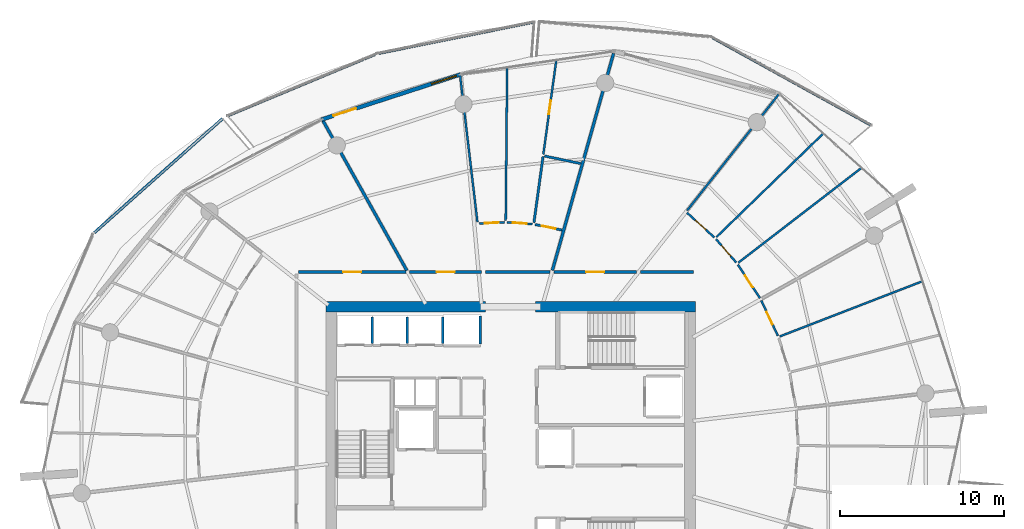
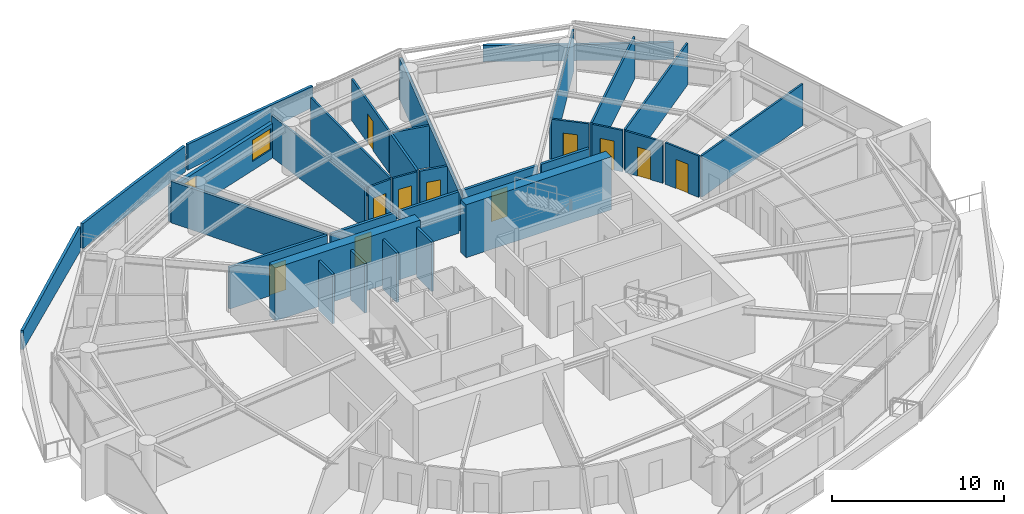
# One storey, part 15 of 21: 34 walls, 12 doors, 1 window, 13 openings.
"""IFC4 building model written with IfcOpenShell, lengths in metres."""

import ifcopenshell
import ifcopenshell.guid

model = None  # the IFC model being written
_history = None  # IfcOwnerHistory: only IFC2X3 demands one
_inside = {}  # id of a spatial element -> (the spatial element, [elements in it])
_under = {}  # id of a project, library or spatial element -> (it, [spatial elements below it])
_declared = {}  # id of a project -> (the project, [libraries it declares])
_typed = {}  # id of a type object -> (the type object, [elements of that type])
_made_of = {}  # id of a material, layer set ... -> (it, [elements and type objects made of it])


def new_model(schema):
    """Start an empty IFC model of exactly this schema.

    Asked for "IFC4X3", IfcOpenShell would pick the latest addendum, in which some entities
    have other attributes; the version numbers below select the first issue.
    IFC2X3 requires an IfcOwnerHistory on every rooted entity: one is made here for all.
    """
    global model, _history
    if schema == "IFC4X3":
        model = ifcopenshell.file(schema_version=(4, 3, 0, 0))
    else:
        model = ifcopenshell.file(schema=schema)
    _inside.clear()
    _under.clear()
    _declared.clear()
    _typed.clear()
    _made_of.clear()
    _history = None
    if model.schema == "IFC2X3":
        org = make("IfcOrganization", Name="unknown")
        user = make(
            "IfcPersonAndOrganization",
            ThePerson=make("IfcPerson", FamilyName="unknown"),
            TheOrganization=org,
        )
        app = make(
            "IfcApplication",
            ApplicationDeveloper=org,
            Version="unknown",
            ApplicationFullName="unknown",
            ApplicationIdentifier="unknown",
        )
        _history = make(
            "IfcOwnerHistory",
            OwningUser=user,
            OwningApplication=app,
            ChangeAction="ADDED",
            CreationDate=0,
        )
    return model


def make(cls, **values):
    """One entity of the class cls with the attributes given. An attribute that is None is left unset."""
    return model.create_entity(
        cls, **{name: value for name, value in values.items() if value is not None}
    )


def rooted(cls, **values):
    """An entity with a GlobalId (a new one), such as an element, a storey or a relation."""
    return make(cls, GlobalId=ifcopenshell.guid.new(), OwnerHistory=_history, **values)


def si_unit(unit_type, name, prefix=None):
    """IfcSIUnit, for example si_unit("LENGTHUNIT", "METRE", prefix="MILLI")."""
    return make("IfcSIUnit", UnitType=unit_type, Prefix=prefix, Name=name)


def assignment(units):
    """IfcUnitAssignment: the units of a project."""
    return None if units is None else make("IfcUnitAssignment", Units=units)


def point(xyz):
    """IfcCartesianPoint."""
    return None if xyz is None else make("IfcCartesianPoint", Coordinates=xyz)


def direction(xyz):
    """IfcDirection."""
    return None if xyz is None else make("IfcDirection", DirectionRatios=xyz)


def frame(location, z_axis=None, x_axis=None):
    """IfcAxis2Placement3D, a coordinate frame: its origin and axes. An axis left out is left unset."""
    return make(
        "IfcAxis2Placement3D",
        Location=point(location),
        Axis=direction(z_axis),
        RefDirection=direction(x_axis),
    )


def frame_2d(location, x_axis=None):
    """IfcAxis2Placement2D, a coordinate frame in the plane: its origin and x axis."""
    return make(
        "IfcAxis2Placement2D", Location=point(location), RefDirection=direction(x_axis)
    )


def origin():
    """The frame at (0, 0, 0) with its axes left unset."""
    return frame((0.0, 0.0, 0.0))


def place(relative_to, where):
    """IfcLocalPlacement: puts the frame where relative to a parent placement (None: the world)."""
    return make(
        "IfcLocalPlacement", PlacementRelTo=relative_to, RelativePlacement=where
    )


def context(
    kind, dimensions, precision=None, world=None, true_north=None, identifier=None
):
    """IfcGeometricRepresentationContext, for example the 3D "Model" context."""
    return make(
        "IfcGeometricRepresentationContext",
        ContextIdentifier=identifier,
        ContextType=kind,
        CoordinateSpaceDimension=dimensions,
        Precision=precision,
        WorldCoordinateSystem=world,
        TrueNorth=true_north,
    )


def subcontext(parent, identifier, kind, view, scale=None):
    """IfcGeometricRepresentationSubContext, for example "Body" below "Model"."""
    return make(
        "IfcGeometricRepresentationSubContext",
        ContextIdentifier=identifier,
        ContextType=kind,
        ParentContext=parent,
        TargetScale=scale,
        TargetView=view,
    )


def project(units=None, contexts=None):
    """IfcProject with its units and contexts."""
    return rooted(
        "IfcProject",
        Name="project",
        RepresentationContexts=contexts,
        UnitsInContext=assignment(units),
    )


def spatial(cls, under=None, at=None, **own):
    """A site, building, storey or space (cls), placed at a placement, below another one or the project."""
    s = rooted(cls, ObjectPlacement=at, **own)
    if under is not None:
        _under.setdefault(under.id(), (under, []))[1].append(s)
    return s


def polyline(points):
    """IfcPolyline through the points."""
    return make("IfcPolyline", Points=[point(p) for p in points])


def profile(cls, at=None, kind="AREA", **sizes):
    """A parametric profile (cls). Its sizes go by their IFC names, for example OverallWidth=200.0."""
    return make(cls, ProfileType=kind, Position=at, **sizes)


def rectangle(**sizes):
    """IfcRectangleProfileDef."""
    return profile("IfcRectangleProfileDef", **sizes)


def outline(outer, holes=None, kind="AREA"):
    """IfcArbitraryClosedProfileDef: a profile drawn as a closed curve; with holes, ...WithVoids."""
    if holes is None:
        return make("IfcArbitraryClosedProfileDef", ProfileType=kind, OuterCurve=outer)
    return make(
        "IfcArbitraryProfileDefWithVoids",
        ProfileType=kind,
        OuterCurve=outer,
        InnerCurves=holes,
    )


def extrude(swept, where, along, depth):
    """IfcExtrudedAreaSolid: the profile swept, set in the frame where, extruded along a direction by depth."""
    return make(
        "IfcExtrudedAreaSolid",
        SweptArea=swept,
        Position=where,
        ExtrudedDirection=direction(along),
        Depth=depth,
    )


def shape(context_of_items, identifier, shape_type, items):
    """IfcShapeRepresentation: the items that make up one representation, for example the "Body"."""
    return make(
        "IfcShapeRepresentation",
        ContextOfItems=context_of_items,
        RepresentationIdentifier=identifier,
        RepresentationType=shape_type,
        Items=items,
    )


def material(Name=None, Category=None):
    """IfcMaterial."""
    return make("IfcMaterial", Name=Name, Category=Category)


def layer(
    of_material, thickness, ventilated=None, Name=None, Category=None, Priority=None
):
    """IfcMaterialLayer: one layer of a wall or slab, of a material (None: an air gap)."""
    return make(
        "IfcMaterialLayer",
        Material=of_material,
        LayerThickness=thickness,
        IsVentilated=ventilated,
        Name=Name,
        Category=Category,
        Priority=Priority,
    )


def layer_set(layers, Name=None):
    """IfcMaterialLayerSet."""
    return make("IfcMaterialLayerSet", MaterialLayers=layers, LayerSetName=Name)


def made_of(thing, what):
    """Note that an element or type object is made of a material, layer set ...; save() writes the relation."""
    if what is not None:
        _made_of.setdefault(what.id(), (what, []))[1].append(thing)
    return thing


def type_object(cls, material=None, **own):
    """A type object (cls), such as IfcWallType, which elements share."""
    return made_of(rooted(cls, **own), material)


def element(
    cls,
    number,
    at=None,
    inside=None,
    cuts=None,
    type_object=None,
    material=None,
    context=None,
    identifier="Body",
    shape_type=None,
    held_by="IfcProductDefinitionShape",
    body=None,
    shapes=None,
    **own,
):
    """One element of the class cls, such as IfcWall. Its Tag is "e" and its number.

    at: its placement. inside: the storey or other place that contains it. cuts: it is an
    opening in that element (IfcRelVoidsElement). A single representation is given by context,
    identifier, shape_type and body (its items); several are given by shapes. held_by: the class
    of the entity that holds the representations. save() writes the other relations.
    """
    e = rooted(cls, Tag="e%d" % number, ObjectPlacement=at, **own)
    if body is not None:
        shapes = [shape(context, identifier, shape_type, body)]
    if shapes is not None:
        e.Representation = make(held_by, Representations=shapes)
    if inside is not None:
        _inside.setdefault(inside.id(), (inside, []))[1].append(e)
    if cuts is not None:
        rooted(
            "IfcRelVoidsElement", RelatingBuildingElement=cuts, RelatedOpeningElement=e
        )
    if type_object is not None:
        _typed.setdefault(type_object.id(), (type_object, []))[1].append(e)
    return made_of(e, material)


def fill(opening, filler):
    """IfcRelFillsElement: the door or window that sits in an opening."""
    return rooted(
        "IfcRelFillsElement",
        RelatingOpeningElement=opening,
        RelatedBuildingElement=filler,
    )


def aggregate(whole, parts):
    """IfcRelAggregates: a whole, such as a stair, and the parts it consists of."""
    return rooted("IfcRelAggregates", RelatingObject=whole, RelatedObjects=parts)


def save(model, path):
    """Write the relations noted so far, then the file.

    IfcRelAggregates (storeys below a building ...), IfcRelContainedInSpatialStructure (elements
    in a storey), IfcRelDefinesByType, IfcRelAssociatesMaterial and IfcRelDeclares: one each for
    every whole, place, type object, material and project.
    """
    for whole, parts in _under.values():
        aggregate(whole, parts)
    for where, things in _inside.values():
        rooted(
            "IfcRelContainedInSpatialStructure",
            RelatedElements=things,
            RelatingStructure=where,
        )
    for kind, things in _typed.values():
        rooted("IfcRelDefinesByType", RelatedObjects=things, RelatingType=kind)
    for what, things in _made_of.values():
        rooted("IfcRelAssociatesMaterial", RelatedObjects=things, RelatingMaterial=what)
    for by, libraries in _declared.values():
        rooted("IfcRelDeclares", RelatingContext=by, RelatedDefinitions=libraries)
    model.write(path)


model = new_model("IFC4")

# Units and contexts
model_context = context("Model", 3, precision=1e-05, world=origin(), true_north=direction((0.0, 1.0)))
body_context = subcontext(model_context, "Body", "Model", "MODEL_VIEW")
ifc_project = project(units=[si_unit("LENGTHUNIT", "METRE"), si_unit("AREAUNIT", "SQUARE_METRE"), si_unit("VOLUMEUNIT", "CUBIC_METRE"), si_unit("PLANEANGLEUNIT", "RADIAN"), si_unit("MASSUNIT", "GRAM", prefix="KILO")], contexts=[model_context])

# Site, building, storey
site_placement = place(None, origin())
site = spatial("IfcSite", under=ifc_project, at=site_placement, CompositionType="ELEMENT")
building_placement = place(site_placement, origin())
building = spatial("IfcBuilding", under=site, at=building_placement, Name="Kazma Halo Residences", CompositionType="ELEMENT")
storey_placement = place(building_placement, frame((0.0, 0.0, 180.300048828125)))
storey = spatial("IfcBuildingStorey", under=building, at=storey_placement, Name="L45", CompositionType="ELEMENT", Elevation=180.300048828125)

# Walls
ifc_material_1 = material(Name="White Concrete C50/60 Balustrade", Category="concrete")
ifc_layer_1 = layer(ifc_material_1, 0.179931640625)
ifc_layer_set_1 = layer_set([ifc_layer_1], Name="White Concrete C50/60 Balustrade")
wall_type_1 = type_object("IfcWallType", Name="WL-BAL-WAVE-180", PredefinedType="PARAPET", material=ifc_layer_set_1)
wall_1_placement = place(storey_placement, frame((70.44970703125, 61.412353515625, 0.0), z_axis=(0.0, 0.0, 1.0), x_axis=(-0.875454845647, 0.48329992058, 0.0)))
element("IfcWall", 1, at=wall_1_placement, inside=storey, type_object=wall_type_1, Name="L45 white wave balustrade wall NE.1", PredefinedType="PARAPET", context=body_context, shape_type="SweptSolid", body=[
    extrude(outline(polyline([(0.0, 0.0), (11.075927734375, 0.0), (11.075927734375, 1.14794921875), (5.5380859375, 1.126953125), (0.0, 1.223876953125), (0.0, 0.0)])), frame((0.0, 0.08984375, 0.0), z_axis=(0.0, -1.0, 0.0), x_axis=(1.0, 0.0, 0.0)), (0.0, 0.0, 1.0), 0.179931640625),
])
wall_2_placement = place(storey_placement, frame((49.8662109375, 67.720703125, 0.0), z_axis=(0.0, 0.0, 1.0), x_axis=(-0.980371313285, -0.197160057028, 0.0)))
element("IfcWall", 2, at=wall_2_placement, inside=storey, type_object=wall_type_1, Name="L45 white wave balustrade wall NNW.1", PredefinedType="PARAPET", context=body_context, shape_type="SweptSolid", body=[
    extrude(outline(polyline([(0.0, 0.0), (9.66845703125, 0.0), (9.66845703125, 1.83203125), (4.834228515625, 1.696044921875), (0.0, 1.4970703125), (0.0, 0.0)])), frame((0.0, 0.08984375, 0.0), z_axis=(0.0, -1.0, 0.0), x_axis=(1.0, 0.0, 0.0)), (0.0, 0.0, 1.0), 0.179931640625),
])
wall_3_placement = place(storey_placement, frame((40.1591796875, 65.74462890625, 0.0), z_axis=(0.0, 0.0, 1.0), x_axis=(-0.923266030552, -0.38416121203, 0.0)))
element("IfcWall", 3, at=wall_3_placement, inside=storey, type_object=wall_type_1, Name="L45 white wave balustrade wall NNW.2", PredefinedType="PARAPET", context=body_context, shape_type="SweptSolid", body=[
    extrude(outline(polyline([(0.0, 0.0), (9.772216796875, 0.0), (9.772216796875, 1.755859375), (4.885986328125, 1.85302734375), (0.0, 1.83203125), (0.0, 0.0)])), frame((0.0, 0.08984375, 0.0), z_axis=(0.0, -1.0, 0.0), x_axis=(1.0, 0.0, 0.0)), (0.0, 0.0, 1.0), 0.179931640625),
])
wall_4_placement = place(storey_placement, frame((30.855712890625, 61.82666015625, 0.0), z_axis=(0.0, 0.0, 1.0), x_axis=(-0.747315583536, -0.664469275892, 0.0)))
element("IfcWall", 4, at=wall_4_placement, inside=storey, type_object=wall_type_1, Name="L45 white wave balustrade wall NW.1", PredefinedType="PARAPET", context=body_context, shape_type="SweptSolid", body=[
    extrude(outline(polyline([(0.0, 0.0), (10.490966796875, 0.0), (10.4912109375, 1.347900390625), (5.24560546875, 1.56201171875), (0.0, 1.7470703125), (0.0, 0.0)])), frame((0.0, 0.08984375, 0.0), z_axis=(0.0, -1.0, 0.0), x_axis=(1.0, 0.0, 0.0)), (0.0, 0.0, 1.0), 0.179931640625),
])
ifc_material_2 = material(Name="Concrete C60/75", Category="concrete")
ifc_layer_2 = layer(ifc_material_2, 0.64990234375)
ifc_layer_set_2 = layer_set([ifc_layer_2], Name="Concrete C60/75")
wall_type_2 = type_object("IfcWallType", Name="WL-CORE-650", PredefinedType="SHEAR", material=ifc_layer_set_2)
for number, where, z_axis, x_axis, name in (
    (5, (37.14990234375, 50.324951171875, 0.0), (0.0, 0.0, 1.0), (1.0, 0.0, 0.0), "L45 central core shear wall NW"),
    (6, (49.949951171875, 50.324951171875, 0.0), (0.0, 0.0, 1.0), (1.0, 0.0, 0.0), "L45 central core shear wall NE"),
):
    element("IfcWall", number, at=place(storey_placement, frame(where, z_axis=z_axis, x_axis=x_axis)), inside=storey, type_object=wall_type_2, Name=name, PredefinedType="SHEAR", context=body_context, shape_type="SweptSolid", body=[
        extrude(rectangle(XDim=9.75, YDim=0.64990234375, at=frame_2d((4.875, 0.0))), origin(), (0.0, 0.0, 1.0), 3.75),
    ])
ifc_material_3 = material(Name="Acoustic Twin-Stud Gypsum")
ifc_layer_3 = layer(ifc_material_3, 0.179931640625)
ifc_layer_set_3 = layer_set([ifc_layer_3], Name="Acoustic Twin-Stud Gypsum")
wall_type_3 = type_object("IfcWallType", Name="WL-DEM-180", PredefinedType="PARTITIONING", material=ifc_layer_set_3)
wall_5_placement = place(storey_placement, frame((50.97705078125, 52.555908203125, 0.0), z_axis=(0.0, 0.0, 1.0), x_axis=(0.271443307373, 0.962454430548, 0.0)))
element("IfcWall", 7, at=wall_5_placement, inside=storey, type_object=wall_type_3, Name="L45 apartment demising radial wall 02", PredefinedType="PARTITIONING", context=body_context, shape_type="SweptSolid", body=[
    extrude(rectangle(XDim=13.75927734375, YDim=0.179931640625, at=frame_2d((6.879638671875, 0.0))), origin(), (0.0, 0.0, 1.0), 2.93994140625),
])
wall_6_placement = place(storey_placement, frame((42.093994140625, 52.5458984375, 0.0), z_axis=(0.0, 0.0, 1.0), x_axis=(-0.488614041717, 0.872500039104, 0.0)))
element("IfcWall", 8, at=wall_6_placement, inside=storey, type_object=wall_type_3, Name="L45 apartment demising radial wall 04", PredefinedType="PARTITIONING", context=body_context, shape_type="SweptSolid", body=[
    extrude(rectangle(XDim=10.448486328125, YDim=0.179931640625, at=frame_2d((5.22412109375, 0.0))), origin(), (0.0, 0.0, 1.0), 2.93994140625),
])

# Wall, opening, door
wall_7_placement = place(storey_placement, frame((46.643310546875, 52.449951171875, 0.0), z_axis=(0.0, 0.0, 1.0), x_axis=(-1.0, 0.0, 0.0)))
wall_7 = element("IfcWall", 9, at=wall_7_placement, inside=storey, type_object=wall_type_3, Name="L45 Apartment 1 entrance corridor wall", PredefinedType="PARTITIONING", context=body_context, shape_type="SweptSolid", body=[
    extrude(rectangle(XDim=4.375732421875, YDim=0.179931640625, at=frame_2d((2.18798828125, 0.0))), origin(), (0.0, 0.0, 1.0), 2.93994140625),
])
opening_1_placement = place(wall_7_placement, frame((1.6376953125, 0.0, 0.0)))
opening_1 = element("IfcOpeningElement", 10, at=opening_1_placement, cuts=wall_7, Name="Opening DA-1100", PredefinedType="OPENING", context=body_context, shape_type="SweptSolid", body=[
    extrude(rectangle(XDim=1.10009765625, YDim=2.10009765625, at=frame_2d((0.550048828125, 1.050048828125))), frame((0.0, 0.099853515625, 0.0), z_axis=(0.0, -1.0, 0.0), x_axis=(1.0, 0.0, 0.0)), (0.0, 0.0, 1.0), 0.199951171875),
])
ifc_material_4 = material(Name="Acoustic Walnut Fire Leaf")
door_type_1 = type_object("IfcDoorType", Name="DR-FD60-1100", OperationType="NOTDEFINED", PredefinedType="DOOR", material=ifc_material_4)
door_1_placement = place(opening_1_placement, origin())
door_1 = element("IfcDoor", 11, at=door_1_placement, inside=storey, type_object=door_type_1, Name="L45 Apartment 1 entrance fire door", OperationType="SINGLE_SWING_LEFT", OverallHeight=2.10009765625, OverallWidth=1.10009765625, PredefinedType="DOOR", context=body_context, shape_type="SweptSolid", body=[
    extrude(rectangle(XDim=1.10009765625, YDim=2.10009765625, at=frame_2d((0.550048828125, 1.050048828125))), frame((0.0, 0.02490234375, 0.0), z_axis=(0.0, -1.0, 0.0), x_axis=(1.0, 0.0, 0.0)), (0.0, 0.0, 1.0), 0.050048828125),
])
fill(opening_1, door_1)

# Wall
wall_8_placement = place(storey_placement, frame((50.8271484375, 52.449951171875, 0.0), z_axis=(0.0, 0.0, 1.0), x_axis=(-1.0, 0.0, 0.0)))
element("IfcWall", 12, at=wall_8_placement, inside=storey, type_object=wall_type_3, Name="L45 Apartment 1 inner wall 2", PredefinedType="PARTITIONING", context=body_context, shape_type="SweptSolid", body=[
    extrude(rectangle(XDim=3.94384765625, YDim=0.179931640625, at=frame_2d((1.971923828125, 0.0))), origin(), (0.0, 0.0, 1.0), 2.93994140625),
])

# Wall, opening, door
wall_9_placement = place(storey_placement, frame((42.027587890625, 52.449951171875, 0.0), z_axis=(0.0, 0.0, 1.0), x_axis=(-1.0, 0.0, 0.0)))
wall_9 = element("IfcWall", 13, at=wall_9_placement, inside=storey, type_object=wall_type_3, Name="L45 Apartment 2 entrance corridor wall", PredefinedType="PARTITIONING", context=body_context, shape_type="SweptSolid", body=[
    extrude(rectangle(XDim=6.5576171875, YDim=0.179931640625, at=frame_2d((3.27880859375, 0.0))), origin(), (0.0, 0.0, 1.0), 2.93994140625),
])
opening_2_placement = place(wall_9_placement, frame((2.72900390625, 0.0, 0.0)))
opening_2 = element("IfcOpeningElement", 14, at=opening_2_placement, cuts=wall_9, Name="Opening DA-1100", PredefinedType="OPENING", context=body_context, shape_type="SweptSolid", body=[
    extrude(rectangle(XDim=1.10009765625, YDim=2.10009765625, at=frame_2d((0.550048828125, 1.050048828125))), frame((0.0, 0.099853515625, 0.0), z_axis=(0.0, -1.0, 0.0), x_axis=(1.0, 0.0, 0.0)), (0.0, 0.0, 1.0), 0.199951171875),
])
door_2_placement = place(opening_2_placement, origin())
door_2 = element("IfcDoor", 15, at=door_2_placement, inside=storey, type_object=door_type_1, Name="L45 Apartment 2 entrance fire door", OperationType="SINGLE_SWING_RIGHT", OverallHeight=2.10009765625, OverallWidth=1.10009765625, PredefinedType="DOOR", context=body_context, shape_type="SweptSolid", body=[
    extrude(rectangle(XDim=1.10009765625, YDim=2.10009765625, at=frame_2d((0.550048828125, 1.050048828125))), frame((0.0, 0.02490234375, 0.0), z_axis=(0.0, -1.0, 0.0), x_axis=(1.0, 0.0, 0.0)), (0.0, 0.0, 1.0), 0.050048828125),
])
fill(opening_2, door_2)

wall_10_placement = place(storey_placement, frame((56.1181640625, 52.449951171875, 0.0), z_axis=(0.0, 0.0, 1.0), x_axis=(-1.0, 0.0, 0.0)))
wall_10 = element("IfcWall", 16, at=wall_10_placement, inside=storey, type_object=wall_type_3, Name="L45 Apartment 4 entrance corridor wall", PredefinedType="PARTITIONING", context=body_context, shape_type="SweptSolid", body=[
    extrude(rectangle(XDim=5.051025390625, YDim=0.179931640625, at=frame_2d((2.525390625, 0.0))), origin(), (0.0, 0.0, 1.0), 2.93994140625),
])
opening_3_placement = place(wall_10_placement, frame((1.975341796875, 0.0, 0.0)))
opening_3 = element("IfcOpeningElement", 17, at=opening_3_placement, cuts=wall_10, Name="Opening DA-1100", PredefinedType="OPENING", context=body_context, shape_type="SweptSolid", body=[
    extrude(rectangle(XDim=1.10009765625, YDim=2.10009765625, at=frame_2d((0.550048828125, 1.050048828125))), frame((0.0, 0.099853515625, 0.0), z_axis=(0.0, -1.0, 0.0), x_axis=(1.0, 0.0, 0.0)), (0.0, 0.0, 1.0), 0.199951171875),
])
door_3_placement = place(opening_3_placement, origin())
door_3 = element("IfcDoor", 18, at=door_3_placement, inside=storey, type_object=door_type_1, Name="L45 Apartment 4 entrance fire door", OperationType="SINGLE_SWING_RIGHT", OverallHeight=2.10009765625, OverallWidth=1.10009765625, PredefinedType="DOOR", context=body_context, shape_type="SweptSolid", body=[
    extrude(rectangle(XDim=1.10009765625, YDim=2.10009765625, at=frame_2d((0.550048828125, 1.050048828125))), frame((0.0, 0.02490234375, 0.0), z_axis=(0.0, -1.0, 0.0), x_axis=(1.0, 0.0, 0.0)), (0.0, 0.0, 1.0), 0.050048828125),
])
fill(opening_3, door_3)

# Wall
wall_11_placement = place(storey_placement, frame((59.580078125, 52.449951171875, 0.0), z_axis=(0.0, 0.0, 1.0), x_axis=(-1.0, 0.0, 0.0)))
element("IfcWall", 19, at=wall_11_placement, inside=storey, type_object=wall_type_3, Name="L45 Apartment 4 inner wall 0", PredefinedType="PARTITIONING", context=body_context, shape_type="SweptSolid", body=[
    extrude(rectangle(XDim=3.221923828125, YDim=0.179931640625, at=frame_2d((1.61083984375, 0.0))), origin(), (0.0, 0.0, 1.0), 2.93994140625),
])

# Wall, openings, door, window
ifc_material_5 = material(Name="Insulated Pale-Metal Composite Wall")
ifc_layer_4 = layer(ifc_material_5, 0.239990234375)
ifc_layer_set_4 = layer_set([ifc_layer_4], Name="Insulated Pale-Metal Composite Wall")
wall_type_4 = type_object("IfcWallType", Name="WL-EXT-HOST-240", PredefinedType="SOLIDWALL", material=ifc_layer_set_4)
wall_12_placement = place(storey_placement, frame((45.38427734375, 64.518798828125, 0.0), z_axis=(0.0, 0.0, 1.0), x_axis=(-0.951058543936, -0.309010753869, 0.0)))
wall_12 = element("IfcWall", 20, at=wall_12_placement, inside=storey, type_object=wall_type_4, Name="L45 exterior terrace-access wall B04", PredefinedType="SOLIDWALL", context=body_context, shape_type="SweptSolid", body=[
    extrude(rectangle(XDim=8.942138671875, YDim=0.239990234375, at=frame_2d((4.47119140625, 0.0))), origin(), (0.0, 0.0, 1.0), 2.449951171875),
])
opening_4_placement = place(wall_12_placement, frame((6.721923828125, 0.0, 0.0)))
opening_4 = element("IfcOpeningElement", 21, at=opening_4_placement, cuts=wall_12, Name="Opening DTR-1600", PredefinedType="OPENING", context=body_context, shape_type="SweptSolid", body=[
    extrude(rectangle(XDim=1.449951171875, YDim=2.14990234375, at=frame_2d((0.72509765625, 1.074951171875))), frame((0.0, 0.1298828125, 0.0), z_axis=(0.0, -1.0, 0.0), x_axis=(1.0, 0.0, 0.0)), (0.0, 0.0, 1.0), 0.260009765625),
])
opening_5_placement = place(wall_12_placement, frame((0.280029296875, 0.0, 0.64990234375)))
opening_5 = element("IfcOpeningElement", 22, at=opening_5_placement, cuts=wall_12, Name="Opening W-1800", PredefinedType="OPENING", context=body_context, shape_type="SweptSolid", body=[
    extrude(rectangle(XDim=1.60009765625, YDim=1.5, at=frame_2d((0.800048828125, 0.75))), frame((0.0, 0.1298828125, 0.0), z_axis=(0.0, -1.0, 0.0), x_axis=(1.0, 0.0, 0.0)), (0.0, 0.0, 1.0), 0.260009765625),
])
ifc_material_6 = material(Name="Aluminium AW-6063 T6 Double-Glazed Terrace Door", Category="aluminium")
door_type_2 = type_object("IfcDoorType", Name="DR-EXT-TERR-1600", OperationType="NOTDEFINED", PredefinedType="DOOR", material=ifc_material_6)
door_4_placement = place(opening_4_placement, origin())
door_4 = element("IfcDoor", 23, at=door_4_placement, inside=storey, type_object=door_type_2, Name="L45 B04 balcony terrace door", OperationType="DOUBLE_DOOR_SLIDING", OverallHeight=2.14990234375, OverallWidth=1.449951171875, PredefinedType="DOOR", context=body_context, shape_type="SweptSolid", body=[
    extrude(rectangle(XDim=1.449951171875, YDim=2.14990234375, at=frame_2d((0.72509765625, 1.074951171875))), frame((0.0, 0.02490234375, 0.0), z_axis=(0.0, -1.0, 0.0), x_axis=(1.0, 0.0, 0.0)), (0.0, 0.0, 1.0), 0.050048828125),
])
fill(opening_4, door_4)
ifc_material_7 = material(Name="Clear Triple-Silver Low-E Glass in Aluminium AW-6063 T6 Frame", Category="aluminium")
window_type = type_object("IfcWindowType", Name="WIN-RES-1800", PartitioningType="DOUBLE_PANEL_VERTICAL", PredefinedType="WINDOW", material=ifc_material_7)
window_placement = place(opening_5_placement, origin())
window = element("IfcWindow", 24, at=window_placement, inside=storey, type_object=window_type, Name="L45 B04 apartment window", OverallHeight=1.5, OverallWidth=1.60009765625, PartitioningType="SINGLE_PANEL", PredefinedType="WINDOW", context=body_context, shape_type="SweptSolid", body=[
    extrude(rectangle(XDim=1.60009765625, YDim=1.5, at=frame_2d((0.800048828125, 0.75))), frame((0.0, 0.030029296875, 0.0), z_axis=(0.0, -1.0, 0.0), x_axis=(1.0, 0.0, 0.0)), (0.0, 0.0, 1.0), 0.06005859375),
])
fill(opening_5, window)

# Walls
ifc_material_8 = material(Name="Fire-Rated Blockwork Masonry", Category="masonry")
ifc_layer_5 = layer(ifc_material_8, 0.199951171875)
ifc_layer_set_5 = layer_set([ifc_layer_5], Name="Fire-Rated Blockwork Masonry")
wall_type_5 = type_object("IfcWallType", Name="WL-FLB-200", PredefinedType="PARTITIONING", material=ifc_layer_set_5)
for number, where, z_axis, x_axis, name in (
    (25, (39.97509765625, 48.094970703125, 0.0), (0.0, 0.0, 1.0), (0.0, 1.0, 0.0), "L45 lift shaft PM-01 side wall E"),
    (26, (42.125, 48.094970703125, 0.0), (0.0, 0.0, 1.0), (0.0, 1.0, 0.0), "L45 lift shaft PM-02 side wall E"),
    (27, (44.27490234375, 48.094970703125, 0.0), (0.0, 0.0, 1.0), (0.0, 1.0, 0.0), "L45 lift shaft PM-03 side wall E"),
):
    element("IfcWall", number, at=place(storey_placement, frame(where, z_axis=z_axis, x_axis=x_axis)), inside=storey, type_object=wall_type_5, Name=name, PredefinedType="PARTITIONING", context=body_context, shape_type="SweptSolid", body=[
        extrude(rectangle(XDim=1.610107421875, YDim=0.159912109375, at=frame_2d((0.80517578125, 0.0))), origin(), (0.0, 0.0, 1.0), 3.5),
    ])
wall_13_placement = place(storey_placement, frame((46.580078125, 48.044921875, 0.0), z_axis=(0.0, 0.0, 1.0), x_axis=(0.0, 1.0, 0.0)))
element("IfcWall", 28, at=wall_13_placement, inside=storey, type_object=wall_type_5, Name="L45 lift shaft PX-01 side wall E", PredefinedType="PARTITIONING", context=body_context, shape_type="SweptSolid", body=[
    extrude(rectangle(XDim=1.7099609375, YDim=0.159912109375, at=frame_2d((0.85498046875, 0.0))), origin(), (0.0, 0.0, 1.0), 3.5),
])
ifc_material_9 = material(Name="Gypsum Plasterboard Partition")
ifc_layer_6 = layer(ifc_material_9, 0.125)
ifc_layer_set_6 = layer_set([ifc_layer_6], Name="Gypsum Plasterboard Partition")
wall_type_6 = type_object("IfcWallType", Name="WL-PART-125", PredefinedType="PARTITIONING", material=ifc_layer_set_6)
wall_14_placement = place(storey_placement, frame((46.40185546875, 55.502685546875, 0.0), z_axis=(0.0, 0.0, 1.0), x_axis=(-0.117526089467, 0.993069795279, 0.0)))
element("IfcWall", 29, at=wall_14_placement, inside=storey, type_object=wall_type_6, Name="L45 Apartment 1 living radial partition 2", PredefinedType="PARTITIONING", context=body_context, shape_type="SweptSolid", body=[
    extrude(rectangle(XDim=9.03857421875, YDim=0.125, at=frame_2d((4.519287109375, 0.0))), origin(), (0.0, 0.0, 1.0), 2.93994140625),
])

# Wall, opening, door
wall_15_placement = place(storey_placement, frame((50.426025390625, 59.64111328125, 0.0), z_axis=(0.0, 0.0, 1.0), x_axis=(0.136229748486, 0.990677271177, 0.0)))
wall_15 = element("IfcWall", 30, at=wall_15_placement, inside=storey, type_object=wall_type_6, Name="L45 Apartment 1 Utility Laundry Room partition wall", PredefinedType="PARTITIONING", context=body_context, shape_type="SweptSolid", body=[
    extrude(rectangle(XDim=5.776123046875, YDim=0.125, at=frame_2d((2.88818359375, 0.0))), origin(), (0.0, 0.0, 1.0), 2.93994140625),
])
opening_6_placement = place(wall_15_placement, frame((2.462890625, 0.0, 0.0)))
opening_6 = element("IfcOpeningElement", 31, at=opening_6_placement, cuts=wall_15, Name="Opening DB-900", PredefinedType="OPENING", context=body_context, shape_type="SweptSolid", body=[
    extrude(rectangle(XDim=0.85009765625, YDim=2.06005859375, at=frame_2d((0.425048828125, 1.030029296875))), frame((0.0, 0.072509765625, 0.0), z_axis=(0.0, -1.0, 0.0), x_axis=(1.0, 0.0, 0.0)), (0.0, 0.0, 1.0), 0.14501953125),
])
ifc_material_10 = material(Name="Moisture-Sealed Timber Leaf", Category="wood")
door_type_3 = type_object("IfcDoorType", Name="DR-BTH-900", OperationType="NOTDEFINED", PredefinedType="DOOR", material=ifc_material_10)
door_5_placement = place(opening_6_placement, origin())
door_5 = element("IfcDoor", 32, at=door_5_placement, inside=storey, type_object=door_type_3, Name="L45 Apartment 1 Utility Laundry Room door", OperationType="SINGLE_SWING_LEFT", OverallHeight=2.06005859375, OverallWidth=0.85009765625, PredefinedType="DOOR", context=body_context, shape_type="SweptSolid", body=[
    extrude(rectangle(XDim=0.85009765625, YDim=2.06005859375, at=frame_2d((0.425048828125, 1.030029296875))), frame((0.0, 0.02490234375, 0.0), z_axis=(0.0, -1.0, 0.0), x_axis=(1.0, 0.0, 0.0)), (0.0, 0.0, 1.0), 0.050048828125),
])
fill(opening_6, door_5)

# Wall
wall_16_placement = place(storey_placement, frame((48.1279296875, 55.58642578125, 0.0), z_axis=(0.0, 0.0, 1.0), x_axis=(0.009424652092, 0.99995558698, 0.0)))
element("IfcWall", 33, at=wall_16_placement, inside=storey, type_object=wall_type_6, Name="L45 Apartment 1 suite divider 2", PredefinedType="PARTITIONING", context=body_context, shape_type="SweptSolid", body=[
    extrude(rectangle(XDim=9.32568359375, YDim=0.125, at=frame_2d((4.662841796875, 0.0))), origin(), (0.0, 0.0, 1.0), 2.93994140625),
])

# Wall, opening, door
wall_17_placement = place(storey_placement, frame((49.7490234375, 55.377685546875, 0.0), z_axis=(0.0, 0.0, 1.0), x_axis=(-0.997335405168, 0.072952653133, 0.0)))
wall_17 = element("IfcWall", 34, at=wall_17_placement, inside=storey, type_object=wall_type_6, Name="L45 Apartment 1 Gourmet Kitchen hall wall", PredefinedType="PARTITIONING", context=body_context, shape_type="SweptSolid", body=[
    extrude(rectangle(XDim=1.546142578125, YDim=0.125, at=frame_2d((0.77294921875, 0.0))), origin(), (0.0, 0.0, 1.0), 2.93994140625),
])
opening_7_placement = place(wall_17_placement, frame((0.34814453125, 0.0, 0.0)))
opening_7 = element("IfcOpeningElement", 35, at=opening_7_placement, cuts=wall_17, Name="Opening DB-900", PredefinedType="OPENING", context=body_context, shape_type="SweptSolid", body=[
    extrude(rectangle(XDim=0.85009765625, YDim=2.06005859375, at=frame_2d((0.425048828125, 1.030029296875))), frame((0.0, 0.072509765625, 0.0), z_axis=(0.0, -1.0, 0.0), x_axis=(1.0, 0.0, 0.0)), (0.0, 0.0, 1.0), 0.14501953125),
])
door_6_placement = place(opening_7_placement, origin())
door_6 = element("IfcDoor", 36, at=door_6_placement, inside=storey, type_object=door_type_3, Name="L45 Apartment 1 Gourmet Kitchen door", OperationType="SINGLE_SWING_RIGHT", OverallHeight=2.06005859375, OverallWidth=0.85009765625, PredefinedType="DOOR", context=body_context, shape_type="SweptSolid", body=[
    extrude(rectangle(XDim=0.85009765625, YDim=2.06005859375, at=frame_2d((0.425048828125, 1.030029296875))), frame((0.0, 0.02490234375, 0.0), z_axis=(0.0, -1.0, 0.0), x_axis=(1.0, 0.0, 0.0)), (0.0, 0.0, 1.0), 0.050048828125),
])
fill(opening_7, door_6)

wall_18_placement = place(storey_placement, frame((48.04736328125, 55.4921875, 0.0), z_axis=(0.0, 0.0, 1.0), x_axis=(-0.998521830203, -0.054352135274, 0.0)))
wall_18 = element("IfcWall", 37, at=wall_18_placement, inside=storey, type_object=wall_type_6, Name="L45 Apartment 1 Primary Bedroom hall wall", PredefinedType="PARTITIONING", context=body_context, shape_type="SweptSolid", body=[
    extrude(rectangle(XDim=1.5361328125, YDim=0.125, at=frame_2d((0.76806640625, 0.0))), origin(), (0.0, 0.0, 1.0), 2.93994140625),
])
opening_8_placement = place(wall_18_placement, frame((0.343017578125, 0.0, 0.0)))
opening_8 = element("IfcOpeningElement", 38, at=opening_8_placement, cuts=wall_18, Name="Opening DB-900", PredefinedType="OPENING", context=body_context, shape_type="SweptSolid", body=[
    extrude(rectangle(XDim=0.85009765625, YDim=2.06005859375, at=frame_2d((0.425048828125, 1.030029296875))), frame((0.0, 0.072509765625, 0.0), z_axis=(0.0, -1.0, 0.0), x_axis=(1.0, 0.0, 0.0)), (0.0, 0.0, 1.0), 0.14501953125),
])
door_7_placement = place(opening_8_placement, origin())
door_7 = element("IfcDoor", 39, at=door_7_placement, inside=storey, type_object=door_type_3, Name="L45 Apartment 1 Primary Bedroom door", OperationType="SINGLE_SWING_LEFT", OverallHeight=2.06005859375, OverallWidth=0.85009765625, PredefinedType="DOOR", context=body_context, shape_type="SweptSolid", body=[
    extrude(rectangle(XDim=0.85009765625, YDim=2.06005859375, at=frame_2d((0.425048828125, 1.030029296875))), frame((0.0, 0.02490234375, 0.0), z_axis=(0.0, -1.0, 0.0), x_axis=(1.0, 0.0, 0.0)), (0.0, 0.0, 1.0), 0.050048828125),
])
fill(opening_8, door_7)

# Wall
wall_19_placement = place(storey_placement, frame((64.859375, 48.5224609375, 0.0), z_axis=(0.0, 0.0, 1.0), x_axis=(0.93264258635, 0.360801616025, 0.0)))
element("IfcWall", 40, at=wall_19_placement, inside=storey, type_object=wall_type_6, Name="L45 Apartment 4 bay wall 2 15", PredefinedType="PARTITIONING", context=body_context, shape_type="SweptSolid", body=[
    extrude(rectangle(XDim=9.322998046875, YDim=0.125, at=frame_2d((4.66162109375, 0.0))), origin(), (0.0, 0.0, 1.0), 2.93994140625),
])

# Wall, opening, door
wall_20_placement = place(storey_placement, frame((64.7412109375, 48.562255859375, 0.0), z_axis=(0.0, 0.0, 1.0), x_axis=(-0.425713071605, 0.904858210255, 0.0)))
wall_20 = element("IfcWall", 41, at=wall_20_placement, inside=storey, type_object=wall_type_6, Name="L45 Apartment 4 Gulf Bedroom hall wall", PredefinedType="PARTITIONING", context=body_context, shape_type="SweptSolid", body=[
    extrude(rectangle(XDim=2.380615234375, YDim=0.125, at=frame_2d((1.1904296875, 0.0))), origin(), (0.0, 0.0, 1.0), 2.93994140625),
])
opening_9_placement = place(wall_20_placement, frame((0.765380859375, 0.0, 0.0)))
opening_9 = element("IfcOpeningElement", 42, at=opening_9_placement, cuts=wall_20, Name="Opening DB-900", PredefinedType="OPENING", context=body_context, shape_type="SweptSolid", body=[
    extrude(rectangle(XDim=0.85009765625, YDim=2.06005859375, at=frame_2d((0.425048828125, 1.030029296875))), frame((0.0, 0.072509765625, 0.0), z_axis=(0.0, -1.0, 0.0), x_axis=(1.0, 0.0, 0.0)), (0.0, 0.0, 1.0), 0.14501953125),
])
door_8_placement = place(opening_9_placement, origin())
door_8 = element("IfcDoor", 43, at=door_8_placement, inside=storey, type_object=door_type_3, Name="L45 Apartment 4 Gulf Bedroom door", OperationType="SINGLE_SWING_RIGHT", OverallHeight=2.06005859375, OverallWidth=0.85009765625, PredefinedType="DOOR", context=body_context, shape_type="SweptSolid", body=[
    extrude(rectangle(XDim=0.85009765625, YDim=2.06005859375, at=frame_2d((0.425048828125, 1.030029296875))), frame((0.0, 0.02490234375, 0.0), z_axis=(0.0, -1.0, 0.0), x_axis=(1.0, 0.0, 0.0)), (0.0, 0.0, 1.0), 0.050048828125),
])
fill(opening_9, door_8)

# Walls
wall_21_placement = place(storey_placement, frame((59.197509765625, 56.2041015625, 0.0), z_axis=(0.0, 0.0, 1.0), x_axis=(0.619095305497, 0.785315861747, 0.0)))
element("IfcWall", 44, at=wall_21_placement, inside=storey, type_object=wall_type_6, Name="L45 Apartment 4 living radial partition 0", PredefinedType="PARTITIONING", context=body_context, shape_type="SweptSolid", body=[
    extrude(rectangle(XDim=9.043212890625, YDim=0.125, at=frame_2d((4.521484375, 0.0))), origin(), (0.0, 0.0, 1.0), 2.93994140625),
])
wall_22_placement = place(storey_placement, frame((62.326904296875, 53.0234375, 0.0), z_axis=(0.0, 0.0, 1.0), x_axis=(0.79256451764, 0.609788065952, 0.0)))
element("IfcWall", 45, at=wall_22_placement, inside=storey, type_object=wall_type_6, Name="L45 Apartment 4 bay wall 1 0", PredefinedType="PARTITIONING", context=body_context, shape_type="SweptSolid", body=[
    extrude(rectangle(XDim=9.46240234375, YDim=0.125, at=frame_2d((4.731201171875, 0.0))), origin(), (0.0, 0.0, 1.0), 2.93994140625),
])
wall_23_placement = place(storey_placement, frame((60.9814453125, 54.580078125, 0.0), z_axis=(0.0, 0.0, 1.0), x_axis=(0.718129589359, 0.695909399912, 0.0)))
element("IfcWall", 46, at=wall_23_placement, inside=storey, type_object=wall_type_6, Name="L45 Apartment 4 bay wall 2 0", PredefinedType="PARTITIONING", context=body_context, shape_type="SweptSolid", body=[
    extrude(rectangle(XDim=9.064453125, YDim=0.125, at=frame_2d((4.5322265625, 0.0))), origin(), (0.0, 0.0, 1.0), 2.93994140625),
])

# Wall, opening, door
wall_24_placement = place(storey_placement, frame((63.6494140625, 50.855712890625, 0.0), z_axis=(0.0, 0.0, 1.0), x_axis=(-0.550647912311, 0.834737609472, 0.0)))
wall_24 = element("IfcWall", 47, at=wall_24_placement, inside=storey, type_object=wall_type_6, Name="L45 Apartment 4 Primary Bedroom hall wall", PredefinedType="PARTITIONING", context=body_context, shape_type="SweptSolid", body=[
    extrude(rectangle(XDim=2.450927734375, YDim=0.125, at=frame_2d((1.2255859375, 0.0))), origin(), (0.0, 0.0, 1.0), 2.93994140625),
])
opening_10_placement = place(wall_24_placement, frame((0.800537109375, 0.0, 0.0)))
opening_10 = element("IfcOpeningElement", 48, at=opening_10_placement, cuts=wall_24, Name="Opening DB-900", PredefinedType="OPENING", context=body_context, shape_type="SweptSolid", body=[
    extrude(rectangle(XDim=0.85009765625, YDim=2.06005859375, at=frame_2d((0.425048828125, 1.030029296875))), frame((0.0, 0.072509765625, 0.0), z_axis=(0.0, -1.0, 0.0), x_axis=(1.0, 0.0, 0.0)), (0.0, 0.0, 1.0), 0.14501953125),
])
door_9_placement = place(opening_10_placement, origin())
door_9 = element("IfcDoor", 49, at=door_9_placement, inside=storey, type_object=door_type_3, Name="L45 Apartment 4 Primary Bedroom door", OperationType="SINGLE_SWING_LEFT", OverallHeight=2.06005859375, OverallWidth=0.85009765625, PredefinedType="DOOR", context=body_context, shape_type="SweptSolid", body=[
    extrude(rectangle(XDim=0.85009765625, YDim=2.06005859375, at=frame_2d((0.425048828125, 1.030029296875))), frame((0.0, 0.02490234375, 0.0), z_axis=(0.0, -1.0, 0.0), x_axis=(1.0, 0.0, 0.0)), (0.0, 0.0, 1.0), 0.050048828125),
])
fill(opening_10, door_9)

wall_25_placement = place(storey_placement, frame((62.203369140625, 53.029052734375, 0.0), z_axis=(0.0, 0.0, 1.0), x_axis=(-0.653949885252, 0.75653786923, 0.0)))
wall_25 = element("IfcWall", 50, at=wall_25_placement, inside=storey, type_object=wall_type_6, Name="L45 Apartment 4 Secondary Study hall wall", PredefinedType="PARTITIONING", context=body_context, shape_type="SweptSolid", body=[
    extrude(rectangle(XDim=1.88720703125, YDim=0.125, at=frame_2d((0.943603515625, 0.0))), origin(), (0.0, 0.0, 1.0), 2.93994140625),
])
opening_11_placement = place(wall_25_placement, frame((0.518798828125, 0.0, 0.0)))
opening_11 = element("IfcOpeningElement", 51, at=opening_11_placement, cuts=wall_25, Name="Opening DB-900", PredefinedType="OPENING", context=body_context, shape_type="SweptSolid", body=[
    extrude(rectangle(XDim=0.85009765625, YDim=2.06005859375, at=frame_2d((0.425048828125, 1.030029296875))), frame((0.0, 0.072509765625, 0.0), z_axis=(0.0, -1.0, 0.0), x_axis=(1.0, 0.0, 0.0)), (0.0, 0.0, 1.0), 0.14501953125),
])
door_10_placement = place(opening_11_placement, origin())
door_10 = element("IfcDoor", 52, at=door_10_placement, inside=storey, type_object=door_type_3, Name="L45 Apartment 4 Secondary Study door", OperationType="SINGLE_SWING_RIGHT", OverallHeight=2.06005859375, OverallWidth=0.85009765625, PredefinedType="DOOR", context=body_context, shape_type="SweptSolid", body=[
    extrude(rectangle(XDim=0.85009765625, YDim=2.06005859375, at=frame_2d((0.425048828125, 1.030029296875))), frame((0.0, 0.02490234375, 0.0), z_axis=(0.0, -1.0, 0.0), x_axis=(1.0, 0.0, 0.0)), (0.0, 0.0, 1.0), 0.050048828125),
])
fill(opening_11, door_10)

wall_26_placement = place(storey_placement, frame((60.857421875, 54.571044921875, 0.0), z_axis=(0.0, 0.0, 1.0), x_axis=(-0.742214573282, 0.670162314076, 0.0)))
wall_26 = element("IfcWall", 53, at=wall_26_placement, inside=storey, type_object=wall_type_6, Name="L45 Apartment 4 East Bedroom hall wall", PredefinedType="PARTITIONING", context=body_context, shape_type="SweptSolid", body=[
    extrude(rectangle(XDim=2.23974609375, YDim=0.125, at=frame_2d((1.119873046875, 0.0))), origin(), (0.0, 0.0, 1.0), 2.93994140625),
])
opening_12_placement = place(wall_26_placement, frame((0.69482421875, 0.0, 0.0)))
opening_12 = element("IfcOpeningElement", 54, at=opening_12_placement, cuts=wall_26, Name="Opening DB-900", PredefinedType="OPENING", context=body_context, shape_type="SweptSolid", body=[
    extrude(rectangle(XDim=0.85009765625, YDim=2.06005859375, at=frame_2d((0.425048828125, 1.030029296875))), frame((0.0, 0.072509765625, 0.0), z_axis=(0.0, -1.0, 0.0), x_axis=(1.0, 0.0, 0.0)), (0.0, 0.0, 1.0), 0.14501953125),
])
door_11_placement = place(opening_12_placement, origin())
door_11 = element("IfcDoor", 55, at=door_11_placement, inside=storey, type_object=door_type_3, Name="L45 Apartment 4 East Bedroom door", OperationType="SINGLE_SWING_LEFT", OverallHeight=2.06005859375, OverallWidth=0.85009765625, PredefinedType="DOOR", context=body_context, shape_type="SweptSolid", body=[
    extrude(rectangle(XDim=0.85009765625, YDim=2.06005859375, at=frame_2d((0.425048828125, 1.030029296875))), frame((0.0, 0.02490234375, 0.0), z_axis=(0.0, -1.0, 0.0), x_axis=(1.0, 0.0, 0.0)), (0.0, 0.0, 1.0), 0.050048828125),
])
fill(opening_12, door_11)

ifc_material_11 = material(Name="Moisture-Resistant Gypsum")
ifc_layer_7 = layer(ifc_material_11, 0.14990234375)
ifc_layer_set_7 = layer_set([ifc_layer_7], Name="Moisture-Resistant Gypsum")
wall_type_7 = type_object("IfcWallType", Name="WL-WET-150", PredefinedType="PARTITIONING", material=ifc_layer_set_7)
wall_27_placement = place(storey_placement, frame((51.565673828125, 55.0107421875, 0.0), z_axis=(0.0, 0.0, 1.0), x_axis=(-0.978902694913, 0.204326977886, 0.0)))
wall_27 = element("IfcWall", 56, at=wall_27_placement, inside=storey, type_object=wall_type_7, Name="L45 Apartment 1 Guest Bathroom hall wall", PredefinedType="PARTITIONING", context=body_context, shape_type="SweptSolid", body=[
    extrude(rectangle(XDim=1.674072265625, YDim=0.14990234375, at=frame_2d((0.8369140625, 0.0))), origin(), (0.0, 0.0, 1.0), 2.93994140625),
])
opening_13_placement = place(wall_27_placement, frame((0.412109375, 0.0, 0.0)))
opening_13 = element("IfcOpeningElement", 57, at=opening_13_placement, cuts=wall_27, Name="Opening DB-900", PredefinedType="OPENING", context=body_context, shape_type="SweptSolid", body=[
    extrude(rectangle(XDim=0.85009765625, YDim=2.06005859375, at=frame_2d((0.425048828125, 1.030029296875))), frame((0.0, 0.0849609375, 0.0), z_axis=(0.0, -1.0, 0.0), x_axis=(1.0, 0.0, 0.0)), (0.0, 0.0, 1.0), 0.169921875),
])
door_12_placement = place(opening_13_placement, origin())
door_12 = element("IfcDoor", 58, at=door_12_placement, inside=storey, type_object=door_type_3, Name="L45 Apartment 1 Guest Bathroom door", OperationType="SINGLE_SWING_RIGHT", OverallHeight=2.06005859375, OverallWidth=0.85009765625, PredefinedType="DOOR", context=body_context, shape_type="SweptSolid", body=[
    extrude(rectangle(XDim=0.85009765625, YDim=2.06005859375, at=frame_2d((0.425048828125, 1.030029296875))), frame((0.0, 0.02490234375, 0.0), z_axis=(0.0, -1.0, 0.0), x_axis=(1.0, 0.0, 0.0)), (0.0, 0.0, 1.0), 0.050048828125),
])
fill(opening_13, door_12)

# Walls
wall_28_placement = place(storey_placement, frame((52.711181640625, 59.072265625, 0.0), z_axis=(0.0, 0.0, 1.0), x_axis=(-0.978902959225, 0.2043257116, 0.0)))
element("IfcWall", 59, at=wall_28_placement, inside=storey, type_object=wall_type_7, Name="L45 Apartment 1 Guest Bathroom back wall", PredefinedType="PARTITIONING", context=body_context, shape_type="SweptSolid", body=[
    extrude(rectangle(XDim=2.257080078125, YDim=0.14990234375, at=frame_2d((1.12841796875, 0.0))), origin(), (0.0, 0.0, 1.0), 2.93994140625),
])
wall_29_placement = place(storey_placement, frame((49.85107421875, 55.46044921875, 0.0), z_axis=(0.0, 0.0, 1.0), x_axis=(0.136221269786, 0.990678437061, 0.0)))
element("IfcWall", 60, at=wall_29_placement, inside=storey, type_object=wall_type_7, Name="L45 Apartment 1 Guest Bathroom side wall", PredefinedType="PARTITIONING", context=body_context, shape_type="SweptSolid", body=[
    extrude(rectangle(XDim=4.08984375, YDim=0.14990234375, at=frame_2d((2.044921875, 0.0))), origin(), (0.0, 0.0, 1.0), 2.93994140625),
])

save(model, "model.ifc")
